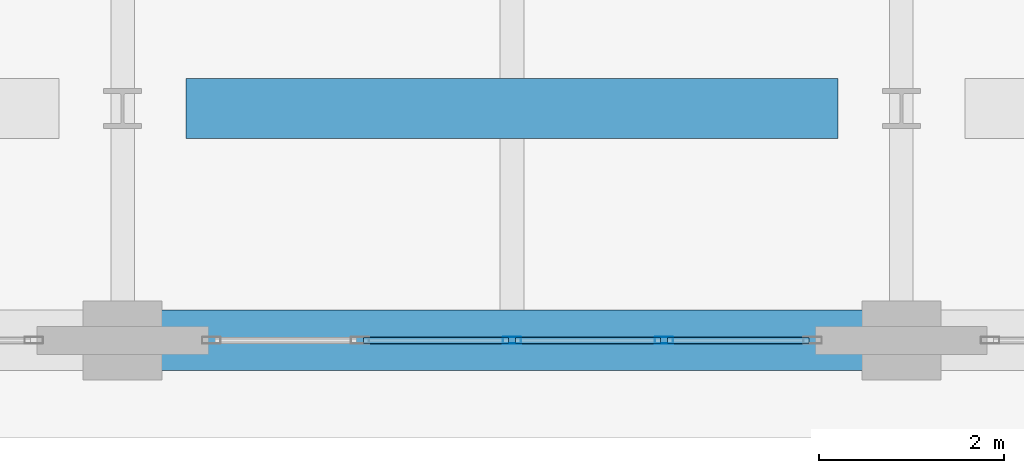
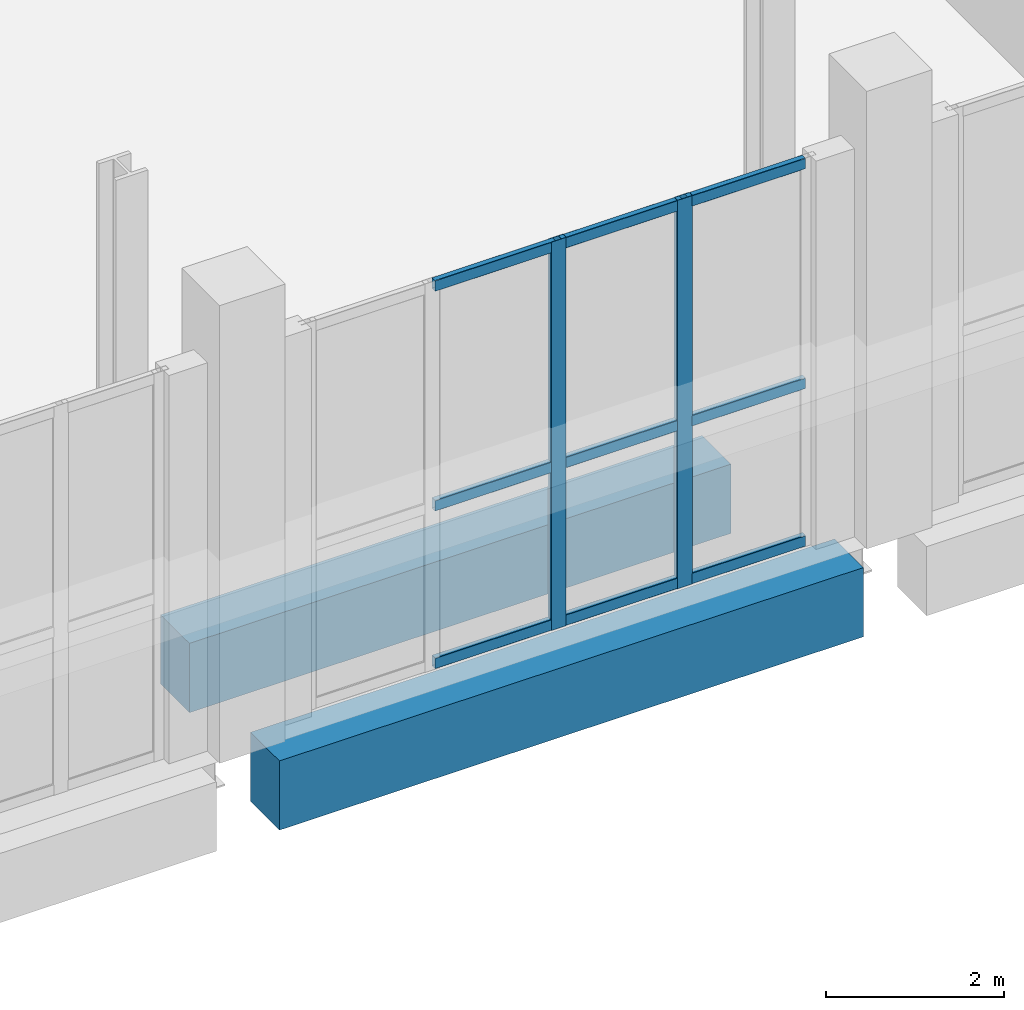
# One storey, part 12 of 29: 11 members, 2 beams, 1 element without a shape of its own.
"""IFC4 building model written with IfcOpenShell, lengths in metres."""

import ifcopenshell
import ifcopenshell.guid

model = None  # the IFC model being written
_history = None  # IfcOwnerHistory: only IFC2X3 demands one
_inside = {}  # id of a spatial element -> (the spatial element, [elements in it])
_under = {}  # id of a project, library or spatial element -> (it, [spatial elements below it])
_declared = {}  # id of a project -> (the project, [libraries it declares])
_typed = {}  # id of a type object -> (the type object, [elements of that type])
_made_of = {}  # id of a material, layer set ... -> (it, [elements and type objects made of it])


def new_model(schema):
    """Start an empty IFC model of exactly this schema.

    Asked for "IFC4X3", IfcOpenShell would pick the latest addendum, in which some entities
    have other attributes; the version numbers below select the first issue.
    IFC2X3 requires an IfcOwnerHistory on every rooted entity: one is made here for all.
    """
    global model, _history
    if schema == "IFC4X3":
        model = ifcopenshell.file(schema_version=(4, 3, 0, 0))
    else:
        model = ifcopenshell.file(schema=schema)
    _inside.clear()
    _under.clear()
    _declared.clear()
    _typed.clear()
    _made_of.clear()
    _history = None
    if model.schema == "IFC2X3":
        org = make("IfcOrganization", Name="unknown")
        user = make(
            "IfcPersonAndOrganization",
            ThePerson=make("IfcPerson", FamilyName="unknown"),
            TheOrganization=org,
        )
        app = make(
            "IfcApplication",
            ApplicationDeveloper=org,
            Version="unknown",
            ApplicationFullName="unknown",
            ApplicationIdentifier="unknown",
        )
        _history = make(
            "IfcOwnerHistory",
            OwningUser=user,
            OwningApplication=app,
            ChangeAction="ADDED",
            CreationDate=0,
        )
    return model


def make(cls, **values):
    """One entity of the class cls with the attributes given. An attribute that is None is left unset."""
    return model.create_entity(
        cls, **{name: value for name, value in values.items() if value is not None}
    )


def rooted(cls, **values):
    """An entity with a GlobalId (a new one), such as an element, a storey or a relation."""
    return make(cls, GlobalId=ifcopenshell.guid.new(), OwnerHistory=_history, **values)


def si_unit(unit_type, name, prefix=None):
    """IfcSIUnit, for example si_unit("LENGTHUNIT", "METRE", prefix="MILLI")."""
    return make("IfcSIUnit", UnitType=unit_type, Prefix=prefix, Name=name)


def assignment(units):
    """IfcUnitAssignment: the units of a project."""
    return None if units is None else make("IfcUnitAssignment", Units=units)


def point(xyz):
    """IfcCartesianPoint."""
    return None if xyz is None else make("IfcCartesianPoint", Coordinates=xyz)


def direction(xyz):
    """IfcDirection."""
    return None if xyz is None else make("IfcDirection", DirectionRatios=xyz)


def frame(location, z_axis=None, x_axis=None):
    """IfcAxis2Placement3D, a coordinate frame: its origin and axes. An axis left out is left unset."""
    return make(
        "IfcAxis2Placement3D",
        Location=point(location),
        Axis=direction(z_axis),
        RefDirection=direction(x_axis),
    )


def frame_2d(location, x_axis=None):
    """IfcAxis2Placement2D, a coordinate frame in the plane: its origin and x axis."""
    return make(
        "IfcAxis2Placement2D", Location=point(location), RefDirection=direction(x_axis)
    )


def origin():
    """The frame at (0, 0, 0) with its axes left unset."""
    return frame((0.0, 0.0, 0.0))


def origin_2d():
    """The frame at (0, 0) in the plane with its x axis left unset."""
    return frame_2d((0.0, 0.0))


def place(relative_to, where):
    """IfcLocalPlacement: puts the frame where relative to a parent placement (None: the world)."""
    return make(
        "IfcLocalPlacement", PlacementRelTo=relative_to, RelativePlacement=where
    )


def context(
    kind, dimensions, precision=None, world=None, true_north=None, identifier=None
):
    """IfcGeometricRepresentationContext, for example the 3D "Model" context."""
    return make(
        "IfcGeometricRepresentationContext",
        ContextIdentifier=identifier,
        ContextType=kind,
        CoordinateSpaceDimension=dimensions,
        Precision=precision,
        WorldCoordinateSystem=world,
        TrueNorth=true_north,
    )


def subcontext(parent, identifier, kind, view, scale=None):
    """IfcGeometricRepresentationSubContext, for example "Body" below "Model"."""
    return make(
        "IfcGeometricRepresentationSubContext",
        ContextIdentifier=identifier,
        ContextType=kind,
        ParentContext=parent,
        TargetScale=scale,
        TargetView=view,
    )


def project(units=None, contexts=None):
    """IfcProject with its units and contexts."""
    return rooted(
        "IfcProject",
        Name="project",
        RepresentationContexts=contexts,
        UnitsInContext=assignment(units),
    )


def spatial(cls, under=None, at=None, **own):
    """A site, building, storey or space (cls), placed at a placement, below another one or the project."""
    s = rooted(cls, ObjectPlacement=at, **own)
    if under is not None:
        _under.setdefault(under.id(), (under, []))[1].append(s)
    return s


def profile(cls, at=None, kind="AREA", **sizes):
    """A parametric profile (cls). Its sizes go by their IFC names, for example OverallWidth=200.0."""
    return make(cls, ProfileType=kind, Position=at, **sizes)


def rectangle(**sizes):
    """IfcRectangleProfileDef."""
    return profile("IfcRectangleProfileDef", **sizes)


def hollow_rectangle(**sizes):
    """IfcRectangleHollowProfileDef."""
    return profile("IfcRectangleHollowProfileDef", **sizes)


def extrude(swept, where, along, depth):
    """IfcExtrudedAreaSolid: the profile swept, set in the frame where, extruded along a direction by depth."""
    return make(
        "IfcExtrudedAreaSolid",
        SweptArea=swept,
        Position=where,
        ExtrudedDirection=direction(along),
        Depth=depth,
    )


def shape(context_of_items, identifier, shape_type, items):
    """IfcShapeRepresentation: the items that make up one representation, for example the "Body"."""
    return make(
        "IfcShapeRepresentation",
        ContextOfItems=context_of_items,
        RepresentationIdentifier=identifier,
        RepresentationType=shape_type,
        Items=items,
    )


def material(Name=None, Category=None):
    """IfcMaterial."""
    return make("IfcMaterial", Name=Name, Category=Category)


def layer(
    of_material, thickness, ventilated=None, Name=None, Category=None, Priority=None
):
    """IfcMaterialLayer: one layer of a wall or slab, of a material (None: an air gap)."""
    return make(
        "IfcMaterialLayer",
        Material=of_material,
        LayerThickness=thickness,
        IsVentilated=ventilated,
        Name=Name,
        Category=Category,
        Priority=Priority,
    )


def layer_set(layers, Name=None):
    """IfcMaterialLayerSet."""
    return make("IfcMaterialLayerSet", MaterialLayers=layers, LayerSetName=Name)


def material_profile(
    of_material, cross_section, Name=None, Category=None, Priority=None
):
    """IfcMaterialProfile: a cross section and its material."""
    return make(
        "IfcMaterialProfile",
        Name=Name,
        Material=of_material,
        Profile=cross_section,
        Priority=Priority,
        Category=Category,
    )


def profile_set(profiles, Name=None, composite=None):
    """IfcMaterialProfileSet."""
    return make(
        "IfcMaterialProfileSet",
        Name=Name,
        MaterialProfiles=profiles,
        CompositeProfile=composite,
    )


def made_of(thing, what):
    """Note that an element or type object is made of a material, layer set ...; save() writes the relation."""
    if what is not None:
        _made_of.setdefault(what.id(), (what, []))[1].append(thing)
    return thing


def type_object(cls, material=None, **own):
    """A type object (cls), such as IfcWallType, which elements share."""
    return made_of(rooted(cls, **own), material)


def element(
    cls,
    number,
    at=None,
    inside=None,
    cuts=None,
    type_object=None,
    material=None,
    context=None,
    identifier="Body",
    shape_type=None,
    held_by="IfcProductDefinitionShape",
    body=None,
    shapes=None,
    **own,
):
    """One element of the class cls, such as IfcWall. Its Tag is "e" and its number.

    at: its placement. inside: the storey or other place that contains it. cuts: it is an
    opening in that element (IfcRelVoidsElement). A single representation is given by context,
    identifier, shape_type and body (its items); several are given by shapes. held_by: the class
    of the entity that holds the representations. save() writes the other relations.
    """
    e = rooted(cls, Tag="e%d" % number, ObjectPlacement=at, **own)
    if body is not None:
        shapes = [shape(context, identifier, shape_type, body)]
    if shapes is not None:
        e.Representation = make(held_by, Representations=shapes)
    if inside is not None:
        _inside.setdefault(inside.id(), (inside, []))[1].append(e)
    if cuts is not None:
        rooted(
            "IfcRelVoidsElement", RelatingBuildingElement=cuts, RelatedOpeningElement=e
        )
    if type_object is not None:
        _typed.setdefault(type_object.id(), (type_object, []))[1].append(e)
    return made_of(e, material)


def aggregate(whole, parts):
    """IfcRelAggregates: a whole, such as a stair, and the parts it consists of."""
    return rooted("IfcRelAggregates", RelatingObject=whole, RelatedObjects=parts)


def save(model, path):
    """Write the relations noted so far, then the file.

    IfcRelAggregates (storeys below a building ...), IfcRelContainedInSpatialStructure (elements
    in a storey), IfcRelDefinesByType, IfcRelAssociatesMaterial and IfcRelDeclares: one each for
    every whole, place, type object, material and project.
    """
    for whole, parts in _under.values():
        aggregate(whole, parts)
    for where, things in _inside.values():
        rooted(
            "IfcRelContainedInSpatialStructure",
            RelatedElements=things,
            RelatingStructure=where,
        )
    for kind, things in _typed.values():
        rooted("IfcRelDefinesByType", RelatedObjects=things, RelatingType=kind)
    for what, things in _made_of.values():
        rooted("IfcRelAssociatesMaterial", RelatedObjects=things, RelatingMaterial=what)
    for by, libraries in _declared.values():
        rooted("IfcRelDeclares", RelatingContext=by, RelatedDefinitions=libraries)
    model.write(path)


model = new_model("IFC4")

# Units and contexts
model_context = context("Model", 3, precision=1e-05, world=origin(), true_north=direction((0.0, 1.0)))
body_context = subcontext(model_context, "Body", "Model", "MODEL_VIEW")
ifc_project = project(units=[si_unit("LENGTHUNIT", "METRE"), si_unit("AREAUNIT", "SQUARE_METRE"), si_unit("VOLUMEUNIT", "CUBIC_METRE"), si_unit("PLANEANGLEUNIT", "RADIAN"), si_unit("MASSUNIT", "GRAM", prefix="KILO")], contexts=[model_context])

# Site, building, storey
site_placement = place(None, origin())
site = spatial("IfcSite", under=ifc_project, at=site_placement, CompositionType="ELEMENT")
building_placement = place(site_placement, origin())
building = spatial("IfcBuilding", under=site, at=building_placement, Name="Kaelvorn Grand Hotel", CompositionType="ELEMENT")
storey_placement = place(building_placement, frame((0.0, 0.0, 19.39990234375)))
storey = spatial("IfcBuildingStorey", under=building, at=storey_placement, Name="L03", CompositionType="ELEMENT", Elevation=19.39990234375)

# Beams
ifc_material_1 = material(Name="Concrete C60/75", Category="concrete")
ifc_material_profile_1 = material_profile(ifc_material_1, rectangle(XDim=0.64990234375, YDim=0.949951171875, at=origin_2d()), Name="RC SPANDREL 650x950")
ifc_profile_set_1 = profile_set([ifc_material_profile_1], Name="Concrete C60/75")
beam_type = type_object("IfcBeamType", Name="BM-SP-650x950-C60", PredefinedType="SPANDREL", material=ifc_profile_set_1)
beam_1_placement = place(storey_placement, frame((38.2099609375, -2.5, -0.794921875), z_axis=(1.0, 0.0, 0.0), x_axis=(0.0, 1.0, 0.0)))
element("IfcBeam", 1, at=beam_1_placement, inside=storey, type_object=beam_type, Name="L03 South Perimeter Spandrel 04", PredefinedType="SPANDREL", context=body_context, shape_type="SweptSolid", body=[
    extrude(rectangle(XDim=0.64990234375, YDim=0.949951171875, at=origin_2d()), origin(), (0.0, 0.0, 1.0), 7.580078125),
])
beam_2_placement = place(storey_placement, frame((38.485107421875, 0.0, -0.794921875), z_axis=(1.0, 0.0, 0.0), x_axis=(0.0, 1.0, 0.0)))
element("IfcBeam", 2, at=beam_2_placement, inside=storey, type_object=beam_type, Name="L03 Tower Line South Girder 05", PredefinedType="SPANDREL", context=body_context, shape_type="SweptSolid", body=[
    extrude(rectangle(XDim=0.64990234375, YDim=0.949951171875, at=origin_2d()), origin(), (0.0, 0.0, 1.0), 7.02978515625),
])

# Curtain wall, members
ifc_material_2 = material(Name="Anodised Aluminium", Category="aluminium")
ifc_layer = layer(ifc_material_2, 0.199951171875)
ifc_layer_set = layer_set([ifc_layer], Name="Anodised Aluminium")
curtain_wall_type = type_object("IfcCurtainWallType", Name="CW-SYS2", PredefinedType="NOTDEFINED", material=ifc_layer_set)
curtain_wall_placement = place(storey_placement, origin())
curtain_wall = element("IfcCurtainWall", 3, at=curtain_wall_placement, inside=storey, type_object=curtain_wall_type, Name="L03 Unitised Curtain Wall CW2 (CW-L03-S-04)", PredefinedType="NOTDEFINED")
ifc_material_profile_2 = material_profile(ifc_material_2, hollow_rectangle(XDim=0.074951171875, YDim=0.199951171875, WallThickness=0.00390625, InnerFilletRadius=0.00390625, OuterFilletRadius=0.008056640625, at=origin_2d()), Name="ALU MULL 75x200")
ifc_profile_set_2 = profile_set([ifc_material_profile_2], Name="Anodised Aluminium")
member_type_1 = type_object("IfcMemberType", Name="CW-SYS2-MULL", PredefinedType="MULLION", material=ifc_profile_set_2)
member_1_placement = place(storey_placement, frame((42.0, -2.5, 0.0), z_axis=(0.0, 0.0, 1.0), x_axis=(0.0, 1.0, 0.0)))
member_1 = element("IfcMember", 4, at=member_1_placement, type_object=member_type_1, Name="CW2 mullion 3", PredefinedType="MULLION", context=body_context, shape_type="SweptSolid", body=[
    extrude(hollow_rectangle(XDim=0.074951171875, YDim=0.199951171875, WallThickness=0.00390625, InnerFilletRadius=0.00390625, OuterFilletRadius=0.008056640625, at=origin_2d()), origin(), (0.0, 0.0, 1.0), 5.330078125),
])
member_2_placement = place(storey_placement, frame((43.639892578125, -2.5, 0.0), z_axis=(0.0, 0.0, 1.0), x_axis=(0.0, 1.0, 0.0)))
member_2 = element("IfcMember", 5, at=member_2_placement, type_object=member_type_1, Name="CW2 mullion 4", PredefinedType="MULLION", context=body_context, shape_type="SweptSolid", body=[
    extrude(hollow_rectangle(XDim=0.074951171875, YDim=0.199951171875, WallThickness=0.00390625, InnerFilletRadius=0.00390625, OuterFilletRadius=0.008056640625, at=origin_2d()), origin(), (0.0, 0.0, 1.0), 5.330078125),
])
ifc_material_profile_3 = material_profile(ifc_material_2, hollow_rectangle(XDim=0.074951171875, YDim=0.14990234375, WallThickness=0.00390625, InnerFilletRadius=0.00390625, OuterFilletRadius=0.008056640625, at=origin_2d()), Name="ALU TRAN 75x150")
ifc_profile_set_3 = profile_set([ifc_material_profile_3], Name="Anodised Aluminium")
member_type_2 = type_object("IfcMemberType", Name="CW-SYS2-TRAN", PredefinedType="NOTDEFINED", material=ifc_profile_set_3)
member_3_placement = place(storey_placement, frame((40.3974609375, -2.5, 0.0751953125), z_axis=(1.0, 0.0, 0.0), x_axis=(0.0, 1.0, 0.0)))
member_3 = element("IfcMember", 6, at=member_3_placement, type_object=member_type_2, Name="CW2 transom 2.1", ObjectType="TRANSOM", PredefinedType="USERDEFINED", context=body_context, shape_type="SweptSolid", body=[
    extrude(hollow_rectangle(XDim=0.074951171875, YDim=0.14990234375, WallThickness=0.00390625, InnerFilletRadius=0.00390625, OuterFilletRadius=0.008056640625, at=origin_2d()), origin(), (0.0, 0.0, 1.0), 1.56494140625),
])
member_4_placement = place(storey_placement, frame((40.3974609375, -2.5, 2.23876953125), z_axis=(1.0, 0.0, 0.0), x_axis=(0.0, 1.0, 0.0)))
member_4 = element("IfcMember", 7, at=member_4_placement, type_object=member_type_2, Name="CW2 transom 2.2", ObjectType="TRANSOM", PredefinedType="USERDEFINED", context=body_context, shape_type="SweptSolid", body=[
    extrude(hollow_rectangle(XDim=0.074951171875, YDim=0.14990234375, WallThickness=0.00390625, InnerFilletRadius=0.00390625, OuterFilletRadius=0.008056640625, at=origin_2d()), origin(), (0.0, 0.0, 1.0), 1.56494140625),
])
member_5_placement = place(storey_placement, frame((40.3974609375, -2.5, 5.255126953125), z_axis=(1.0, 0.0, 0.0), x_axis=(0.0, 1.0, 0.0)))
member_5 = element("IfcMember", 8, at=member_5_placement, type_object=member_type_2, Name="CW2 transom 2.3", ObjectType="TRANSOM", PredefinedType="USERDEFINED", context=body_context, shape_type="SweptSolid", body=[
    extrude(hollow_rectangle(XDim=0.074951171875, YDim=0.14990234375, WallThickness=0.00390625, InnerFilletRadius=0.00390625, OuterFilletRadius=0.008056640625, at=origin_2d()), origin(), (0.0, 0.0, 1.0), 1.56494140625),
])
member_6_placement = place(storey_placement, frame((42.03759765625, -2.5, 0.0751953125), z_axis=(1.0, 0.0, 0.0), x_axis=(0.0, 1.0, 0.0)))
member_6 = element("IfcMember", 9, at=member_6_placement, type_object=member_type_2, Name="CW2 transom 3.1", ObjectType="TRANSOM", PredefinedType="USERDEFINED", context=body_context, shape_type="SweptSolid", body=[
    extrude(hollow_rectangle(XDim=0.074951171875, YDim=0.14990234375, WallThickness=0.00390625, InnerFilletRadius=0.00390625, OuterFilletRadius=0.008056640625, at=origin_2d()), origin(), (0.0, 0.0, 1.0), 1.56494140625),
])
member_7_placement = place(storey_placement, frame((42.03759765625, -2.5, 2.23876953125), z_axis=(1.0, 0.0, 0.0), x_axis=(0.0, 1.0, 0.0)))
member_7 = element("IfcMember", 10, at=member_7_placement, type_object=member_type_2, Name="CW2 transom 3.2", ObjectType="TRANSOM", PredefinedType="USERDEFINED", context=body_context, shape_type="SweptSolid", body=[
    extrude(hollow_rectangle(XDim=0.074951171875, YDim=0.14990234375, WallThickness=0.00390625, InnerFilletRadius=0.00390625, OuterFilletRadius=0.008056640625, at=origin_2d()), origin(), (0.0, 0.0, 1.0), 1.56494140625),
])
member_8_placement = place(storey_placement, frame((42.03759765625, -2.5, 5.255126953125), z_axis=(1.0, 0.0, 0.0), x_axis=(0.0, 1.0, 0.0)))
member_8 = element("IfcMember", 11, at=member_8_placement, type_object=member_type_2, Name="CW2 transom 3.3", ObjectType="TRANSOM", PredefinedType="USERDEFINED", context=body_context, shape_type="SweptSolid", body=[
    extrude(hollow_rectangle(XDim=0.074951171875, YDim=0.14990234375, WallThickness=0.00390625, InnerFilletRadius=0.00390625, OuterFilletRadius=0.008056640625, at=origin_2d()), origin(), (0.0, 0.0, 1.0), 1.56494140625),
])
member_9_placement = place(storey_placement, frame((43.677490234375, -2.5, 0.0751953125), z_axis=(1.0, 0.0, 0.0), x_axis=(0.0, 1.0, 0.0)))
member_9 = element("IfcMember", 12, at=member_9_placement, type_object=member_type_2, Name="CW2 transom 4.1", ObjectType="TRANSOM", PredefinedType="USERDEFINED", context=body_context, shape_type="SweptSolid", body=[
    extrude(hollow_rectangle(XDim=0.074951171875, YDim=0.14990234375, WallThickness=0.00390625, InnerFilletRadius=0.00390625, OuterFilletRadius=0.008056640625, at=origin_2d()), origin(), (0.0, 0.0, 1.0), 1.527587890625),
])
member_10_placement = place(storey_placement, frame((43.677490234375, -2.5, 2.23876953125), z_axis=(1.0, 0.0, 0.0), x_axis=(0.0, 1.0, 0.0)))
member_10 = element("IfcMember", 13, at=member_10_placement, type_object=member_type_2, Name="CW2 transom 4.2", ObjectType="TRANSOM", PredefinedType="USERDEFINED", context=body_context, shape_type="SweptSolid", body=[
    extrude(hollow_rectangle(XDim=0.074951171875, YDim=0.14990234375, WallThickness=0.00390625, InnerFilletRadius=0.00390625, OuterFilletRadius=0.008056640625, at=origin_2d()), origin(), (0.0, 0.0, 1.0), 1.527587890625),
])
member_11_placement = place(storey_placement, frame((43.677490234375, -2.5, 5.255126953125), z_axis=(1.0, 0.0, 0.0), x_axis=(0.0, 1.0, 0.0)))
member_11 = element("IfcMember", 14, at=member_11_placement, type_object=member_type_2, Name="CW2 transom 4.3", ObjectType="TRANSOM", PredefinedType="USERDEFINED", context=body_context, shape_type="SweptSolid", body=[
    extrude(hollow_rectangle(XDim=0.074951171875, YDim=0.14990234375, WallThickness=0.00390625, InnerFilletRadius=0.00390625, OuterFilletRadius=0.008056640625, at=origin_2d()), origin(), (0.0, 0.0, 1.0), 1.527587890625),
])
aggregate(curtain_wall, [member_1, member_2, member_3, member_4, member_5, member_6, member_7, member_8, member_9, member_10, member_11])

save(model, "model.ifc")
